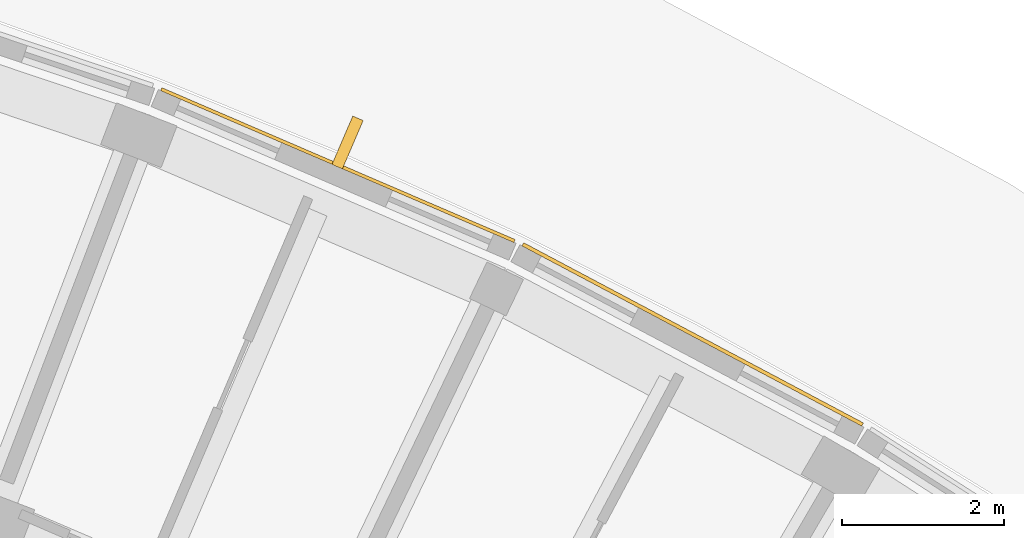
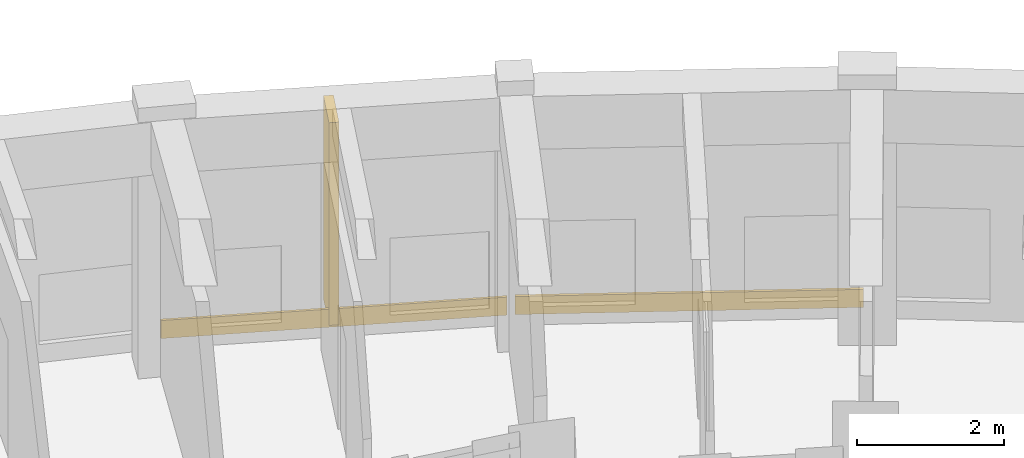
# One storey, part 57 of 61: 2 coverings, 1 shading device.
"""IFC4 building model written with IfcOpenShell, lengths in metres."""

from ifc_helpers import new_model, si_unit, direction, frame, origin, origin_2d, place, context, subcontext, project, spatial, rectangle, extrude, material, layer, layer_set, type_object, element, save


model = new_model("IFC4")

# Units and contexts
model_context = context("Model", 3, precision=1e-05, world=origin(), true_north=direction((0.0, 1.0)))
body_context = subcontext(model_context, "Body", "Model", "MODEL_VIEW")
ifc_project = project(units=[si_unit("LENGTHUNIT", "METRE"), si_unit("AREAUNIT", "SQUARE_METRE"), si_unit("VOLUMEUNIT", "CUBIC_METRE"), si_unit("PLANEANGLEUNIT", "RADIAN"), si_unit("MASSUNIT", "GRAM", prefix="KILO")], contexts=[model_context])

# Site, building, storey
site_placement = place(None, origin())
site = spatial("IfcSite", under=ifc_project, at=site_placement, CompositionType="ELEMENT")
building_placement = place(site_placement, origin())
building = spatial("IfcBuilding", under=site, at=building_placement, Name="Zimvara Arc Housing Community", CompositionType="ELEMENT")
storey_placement = place(building_placement, origin())
storey = spatial("IfcBuildingStorey", under=building, at=storey_placement, Name="L00", CompositionType="ELEMENT", Elevation=0.0)

# Coverings
ifc_material_1 = material(Name="Pale-Gold Anodised Aluminium Cladding", Category="aluminium")
ifc_layer_1 = layer(ifc_material_1, 0.0400390625)
ifc_layer_set_1 = layer_set([ifc_layer_1], Name="Pale-Gold Anodised Aluminium Cladding")
covering_type_1 = type_object("IfcCoveringType", Name="CLD-GOLD-01", PredefinedType="CLADDING", material=ifc_layer_set_1)
covering_1_placement = place(storey_placement, frame((68.48193359375, 99.12939453125, 0.009765625), z_axis=(0.0, 0.0, 1.0), x_axis=(0.918721611116, -0.394905813161, 0.0)))
element("IfcCovering", 1, at=covering_1_placement, inside=storey, type_object=covering_type_1, Name="cld:blkB:L00:out:b4", PredefinedType="CLADDING", context=body_context, shape_type="SweptSolid", body=[
    extrude(rectangle(XDim=4.748779296875, YDim=0.0400390625, at=origin_2d()), origin(), (0.0, 0.0, 1.0), 0.300048828125),
])
ifc_material_2 = material(Name="Pale-Gold Anodised Aluminium Cladding", Category="aluminium")
ifc_layer_2 = layer(ifc_material_2, 0.044921875)
ifc_layer_set_2 = layer_set([ifc_layer_2], Name="Pale-Gold Anodised Aluminium Cladding")
covering_type_2 = type_object("IfcCoveringType", Name="CLD-GOLD-02", PredefinedType="CLADDING", material=ifc_layer_set_2)
covering_2_placement = place(storey_placement, frame((72.864501953125, 97.0380859375, 0.009765625), z_axis=(0.0, 0.0, 1.0), x_axis=(0.88343873811, -0.468546684981, 0.0)))
element("IfcCovering", 2, at=covering_2_placement, inside=storey, type_object=covering_type_2, Name="cld:blkB:L00:out:b5", PredefinedType="CLADDING", context=body_context, shape_type="SweptSolid", body=[
    extrude(rectangle(XDim=4.748779296875, YDim=0.044921875, at=origin_2d()), origin(), (0.0, 0.0, 1.0), 0.300048828125),
])

# Shading device
ifc_material_3 = material(Name="Board-Marked Fair-Faced Concrete C40/50", Category="concrete")
shading_device_type = type_object("IfcShadingDeviceType", Name="SHD-FIN-02", PredefinedType="JALOUSIE", material=ifc_material_3)
shading_device_placement = place(storey_placement, frame((68.60205078125, 99.40869140625, 0.0400390625), z_axis=(0.0, 0.0, 1.0), x_axis=(0.918721611116, -0.394905813161, 0.0)))
element("IfcShadingDevice", 3, at=shading_device_placement, inside=storey, type_object=shading_device_type, Name="fin:blkB:L00:out:b4", PredefinedType="JALOUSIE", context=body_context, shape_type="SweptSolid", body=[
    extrude(rectangle(XDim=0.139892578125, YDim=0.64990234375, at=origin_2d()), origin(), (0.0, 0.0, 1.0), 3.3701171875),
])

save(model, "model.ifc")
